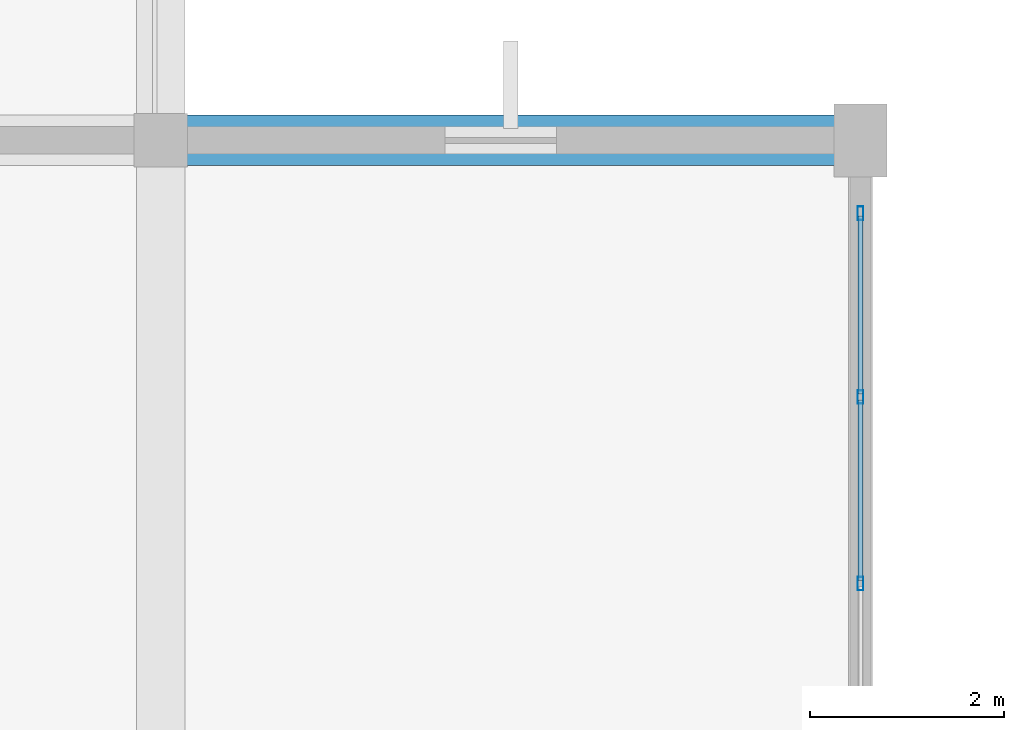
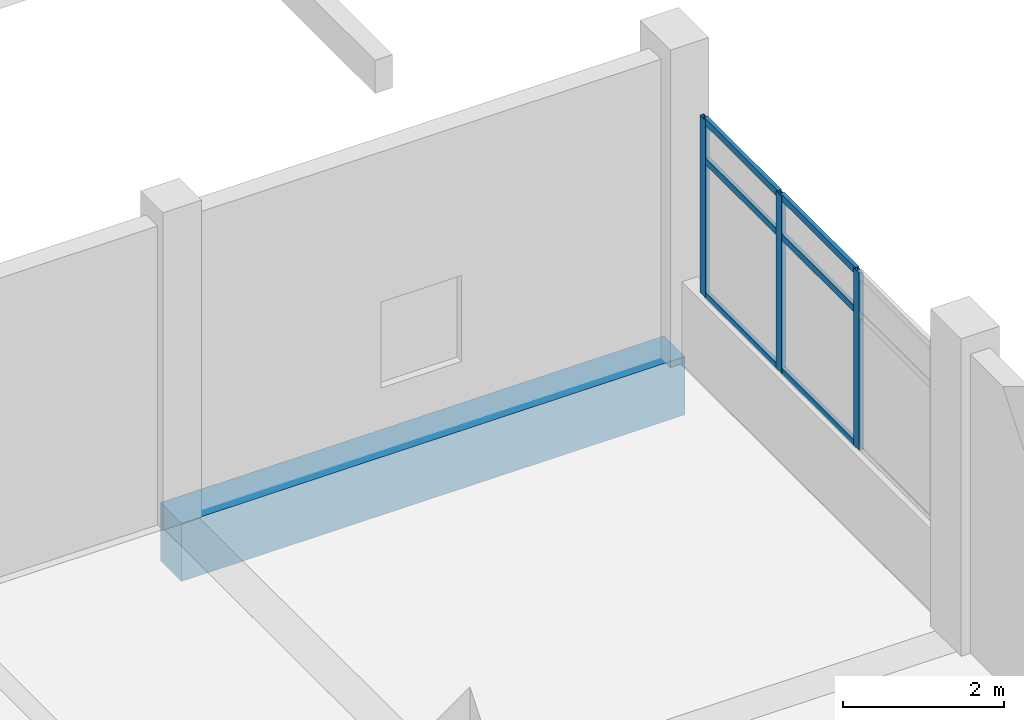
# One storey, part 93 of 140: 9 members, 1 beam, 1 element without a shape of its own.
"""IFC4 building model written with IfcOpenShell, lengths in metres."""

import ifcopenshell
import ifcopenshell.guid

model = None  # the IFC model being written
_history = None  # IfcOwnerHistory: only IFC2X3 demands one
_inside = {}  # id of a spatial element -> (the spatial element, [elements in it])
_under = {}  # id of a project, library or spatial element -> (it, [spatial elements below it])
_declared = {}  # id of a project -> (the project, [libraries it declares])
_typed = {}  # id of a type object -> (the type object, [elements of that type])
_made_of = {}  # id of a material, layer set ... -> (it, [elements and type objects made of it])


def new_model(schema):
    """Start an empty IFC model of exactly this schema.

    Asked for "IFC4X3", IfcOpenShell would pick the latest addendum, in which some entities
    have other attributes; the version numbers below select the first issue.
    IFC2X3 requires an IfcOwnerHistory on every rooted entity: one is made here for all.
    """
    global model, _history
    if schema == "IFC4X3":
        model = ifcopenshell.file(schema_version=(4, 3, 0, 0))
    else:
        model = ifcopenshell.file(schema=schema)
    _inside.clear()
    _under.clear()
    _declared.clear()
    _typed.clear()
    _made_of.clear()
    _history = None
    if model.schema == "IFC2X3":
        org = make("IfcOrganization", Name="unknown")
        user = make(
            "IfcPersonAndOrganization",
            ThePerson=make("IfcPerson", FamilyName="unknown"),
            TheOrganization=org,
        )
        app = make(
            "IfcApplication",
            ApplicationDeveloper=org,
            Version="unknown",
            ApplicationFullName="unknown",
            ApplicationIdentifier="unknown",
        )
        _history = make(
            "IfcOwnerHistory",
            OwningUser=user,
            OwningApplication=app,
            ChangeAction="ADDED",
            CreationDate=0,
        )
    return model


def make(cls, **values):
    """One entity of the class cls with the attributes given. An attribute that is None is left unset."""
    return model.create_entity(
        cls, **{name: value for name, value in values.items() if value is not None}
    )


def rooted(cls, **values):
    """An entity with a GlobalId (a new one), such as an element, a storey or a relation."""
    return make(cls, GlobalId=ifcopenshell.guid.new(), OwnerHistory=_history, **values)


def si_unit(unit_type, name, prefix=None):
    """IfcSIUnit, for example si_unit("LENGTHUNIT", "METRE", prefix="MILLI")."""
    return make("IfcSIUnit", UnitType=unit_type, Prefix=prefix, Name=name)


def assignment(units):
    """IfcUnitAssignment: the units of a project."""
    return None if units is None else make("IfcUnitAssignment", Units=units)


def point(xyz):
    """IfcCartesianPoint."""
    return None if xyz is None else make("IfcCartesianPoint", Coordinates=xyz)


def direction(xyz):
    """IfcDirection."""
    return None if xyz is None else make("IfcDirection", DirectionRatios=xyz)


def frame(location, z_axis=None, x_axis=None):
    """IfcAxis2Placement3D, a coordinate frame: its origin and axes. An axis left out is left unset."""
    return make(
        "IfcAxis2Placement3D",
        Location=point(location),
        Axis=direction(z_axis),
        RefDirection=direction(x_axis),
    )


def frame_2d(location, x_axis=None):
    """IfcAxis2Placement2D, a coordinate frame in the plane: its origin and x axis."""
    return make(
        "IfcAxis2Placement2D", Location=point(location), RefDirection=direction(x_axis)
    )


def origin():
    """The frame at (0, 0, 0) with its axes left unset."""
    return frame((0.0, 0.0, 0.0))


def origin_2d():
    """The frame at (0, 0) in the plane with its x axis left unset."""
    return frame_2d((0.0, 0.0))


def place(relative_to, where):
    """IfcLocalPlacement: puts the frame where relative to a parent placement (None: the world)."""
    return make(
        "IfcLocalPlacement", PlacementRelTo=relative_to, RelativePlacement=where
    )


def context(
    kind, dimensions, precision=None, world=None, true_north=None, identifier=None
):
    """IfcGeometricRepresentationContext, for example the 3D "Model" context."""
    return make(
        "IfcGeometricRepresentationContext",
        ContextIdentifier=identifier,
        ContextType=kind,
        CoordinateSpaceDimension=dimensions,
        Precision=precision,
        WorldCoordinateSystem=world,
        TrueNorth=true_north,
    )


def subcontext(parent, identifier, kind, view, scale=None):
    """IfcGeometricRepresentationSubContext, for example "Body" below "Model"."""
    return make(
        "IfcGeometricRepresentationSubContext",
        ContextIdentifier=identifier,
        ContextType=kind,
        ParentContext=parent,
        TargetScale=scale,
        TargetView=view,
    )


def project(units=None, contexts=None):
    """IfcProject with its units and contexts."""
    return rooted(
        "IfcProject",
        Name="project",
        RepresentationContexts=contexts,
        UnitsInContext=assignment(units),
    )


def spatial(cls, under=None, at=None, **own):
    """A site, building, storey or space (cls), placed at a placement, below another one or the project."""
    s = rooted(cls, ObjectPlacement=at, **own)
    if under is not None:
        _under.setdefault(under.id(), (under, []))[1].append(s)
    return s


def profile(cls, at=None, kind="AREA", **sizes):
    """A parametric profile (cls). Its sizes go by their IFC names, for example OverallWidth=200.0."""
    return make(cls, ProfileType=kind, Position=at, **sizes)


def rectangle(**sizes):
    """IfcRectangleProfileDef."""
    return profile("IfcRectangleProfileDef", **sizes)


def hollow_rectangle(**sizes):
    """IfcRectangleHollowProfileDef."""
    return profile("IfcRectangleHollowProfileDef", **sizes)


def extrude(swept, where, along, depth):
    """IfcExtrudedAreaSolid: the profile swept, set in the frame where, extruded along a direction by depth."""
    return make(
        "IfcExtrudedAreaSolid",
        SweptArea=swept,
        Position=where,
        ExtrudedDirection=direction(along),
        Depth=depth,
    )


def shape(context_of_items, identifier, shape_type, items):
    """IfcShapeRepresentation: the items that make up one representation, for example the "Body"."""
    return make(
        "IfcShapeRepresentation",
        ContextOfItems=context_of_items,
        RepresentationIdentifier=identifier,
        RepresentationType=shape_type,
        Items=items,
    )


def material(Name=None, Category=None):
    """IfcMaterial."""
    return make("IfcMaterial", Name=Name, Category=Category)


def layer(
    of_material, thickness, ventilated=None, Name=None, Category=None, Priority=None
):
    """IfcMaterialLayer: one layer of a wall or slab, of a material (None: an air gap)."""
    return make(
        "IfcMaterialLayer",
        Material=of_material,
        LayerThickness=thickness,
        IsVentilated=ventilated,
        Name=Name,
        Category=Category,
        Priority=Priority,
    )


def layer_set(layers, Name=None):
    """IfcMaterialLayerSet."""
    return make("IfcMaterialLayerSet", MaterialLayers=layers, LayerSetName=Name)


def material_profile(
    of_material, cross_section, Name=None, Category=None, Priority=None
):
    """IfcMaterialProfile: a cross section and its material."""
    return make(
        "IfcMaterialProfile",
        Name=Name,
        Material=of_material,
        Profile=cross_section,
        Priority=Priority,
        Category=Category,
    )


def profile_set(profiles, Name=None, composite=None):
    """IfcMaterialProfileSet."""
    return make(
        "IfcMaterialProfileSet",
        Name=Name,
        MaterialProfiles=profiles,
        CompositeProfile=composite,
    )


def made_of(thing, what):
    """Note that an element or type object is made of a material, layer set ...; save() writes the relation."""
    if what is not None:
        _made_of.setdefault(what.id(), (what, []))[1].append(thing)
    return thing


def type_object(cls, material=None, **own):
    """A type object (cls), such as IfcWallType, which elements share."""
    return made_of(rooted(cls, **own), material)


def element(
    cls,
    number,
    at=None,
    inside=None,
    cuts=None,
    type_object=None,
    material=None,
    context=None,
    identifier="Body",
    shape_type=None,
    held_by="IfcProductDefinitionShape",
    body=None,
    shapes=None,
    **own,
):
    """One element of the class cls, such as IfcWall. Its Tag is "e" and its number.

    at: its placement. inside: the storey or other place that contains it. cuts: it is an
    opening in that element (IfcRelVoidsElement). A single representation is given by context,
    identifier, shape_type and body (its items); several are given by shapes. held_by: the class
    of the entity that holds the representations. save() writes the other relations.
    """
    e = rooted(cls, Tag="e%d" % number, ObjectPlacement=at, **own)
    if body is not None:
        shapes = [shape(context, identifier, shape_type, body)]
    if shapes is not None:
        e.Representation = make(held_by, Representations=shapes)
    if inside is not None:
        _inside.setdefault(inside.id(), (inside, []))[1].append(e)
    if cuts is not None:
        rooted(
            "IfcRelVoidsElement", RelatingBuildingElement=cuts, RelatedOpeningElement=e
        )
    if type_object is not None:
        _typed.setdefault(type_object.id(), (type_object, []))[1].append(e)
    return made_of(e, material)


def aggregate(whole, parts):
    """IfcRelAggregates: a whole, such as a stair, and the parts it consists of."""
    return rooted("IfcRelAggregates", RelatingObject=whole, RelatedObjects=parts)


def save(model, path):
    """Write the relations noted so far, then the file.

    IfcRelAggregates (storeys below a building ...), IfcRelContainedInSpatialStructure (elements
    in a storey), IfcRelDefinesByType, IfcRelAssociatesMaterial and IfcRelDeclares: one each for
    every whole, place, type object, material and project.
    """
    for whole, parts in _under.values():
        aggregate(whole, parts)
    for where, things in _inside.values():
        rooted(
            "IfcRelContainedInSpatialStructure",
            RelatedElements=things,
            RelatingStructure=where,
        )
    for kind, things in _typed.values():
        rooted("IfcRelDefinesByType", RelatedObjects=things, RelatingType=kind)
    for what, things in _made_of.values():
        rooted("IfcRelAssociatesMaterial", RelatedObjects=things, RelatingMaterial=what)
    for by, libraries in _declared.values():
        rooted("IfcRelDeclares", RelatingContext=by, RelatedDefinitions=libraries)
    model.write(path)


model = new_model("IFC4")

# Units and contexts
model_context = context("Model", 3, precision=1e-05, world=origin(), true_north=direction((0.0, 1.0)))
body_context = subcontext(model_context, "Body", "Model", "MODEL_VIEW")
ifc_project = project(units=[si_unit("LENGTHUNIT", "METRE"), si_unit("AREAUNIT", "SQUARE_METRE"), si_unit("VOLUMEUNIT", "CUBIC_METRE"), si_unit("PLANEANGLEUNIT", "RADIAN"), si_unit("MASSUNIT", "GRAM", prefix="KILO")], contexts=[model_context])

# Site, building, storey
site_placement = place(None, origin())
site = spatial("IfcSite", under=ifc_project, at=site_placement, CompositionType="ELEMENT")
building_placement = place(site_placement, origin())
building = spatial("IfcBuilding", under=site, at=building_placement, Name="Seraya Terrace Polytechnic", CompositionType="ELEMENT")
storey_placement = place(building_placement, frame((0.0, 0.0, 9.60009765625)))
storey = spatial("IfcBuildingStorey", under=building, at=storey_placement, Name="L02", CompositionType="ELEMENT", Elevation=9.60009765625)

# Beam
ifc_material_1 = material(Name="Concrete C40/50", Category="concrete")
ifc_material_profile_1 = material_profile(ifc_material_1, rectangle(XDim=0.52001953125, YDim=0.8798828125, at=origin_2d()), Name="RC 520x880")
ifc_profile_set_1 = profile_set([ifc_material_profile_1], Name="Concrete C40/50")
beam_type = type_object("IfcBeamType", Name="BM-04", PredefinedType="BEAM", material=ifc_profile_set_1)
beam_placement = place(storey_placement, frame((158.39990234375, 36.0, -0.440185546875), z_axis=(1.0, 0.0, 0.0), x_axis=(0.0, 1.0, 0.0)))
element("IfcBeam", 1, at=beam_placement, inside=storey, type_object=beam_type, Name="Beam BM-04 L02 X (158.4..165.6, 36.0)", PredefinedType="BEAM", context=body_context, shape_type="SweptSolid", body=[
    extrude(rectangle(XDim=0.52001953125, YDim=0.8798828125, at=origin_2d()), origin(), (0.0, 0.0, 1.0), 7.2001953125),
])

# Curtain wall, members
ifc_material_2 = material(Name="Anodised aluminium EN AW-6063 T6", Category="aluminium")
ifc_layer = layer(ifc_material_2, 0.179931640625, Name="CW-30")
ifc_layer_set = layer_set([ifc_layer], Name="Anodised aluminium EN AW-6063 T6")
curtain_wall_type = type_object("IfcCurtainWallType", Name="CW-30", PredefinedType="NOTDEFINED", material=ifc_layer_set)
curtain_wall_placement = place(storey_placement, origin())
curtain_wall = element("IfcCurtainWall", 2, at=curtain_wall_placement, inside=storey, type_object=curtain_wall_type, Name="Unitised curtain wall CW-30 (CW-L02-066)", PredefinedType="NOTDEFINED")
ifc_material_profile_2 = material_profile(ifc_material_2, hollow_rectangle(XDim=0.06005859375, YDim=0.139892578125, WallThickness=0.00341796875, at=origin_2d()), Name="RHS 140x60x3.5")
ifc_profile_set_2 = profile_set([ifc_material_profile_2], Name="Anodised aluminium EN AW-6063 T6")
member_type_1 = type_object("IfcMemberType", Name="CWM-03", PredefinedType="MULLION", material=ifc_profile_set_2)
member_1_placement = place(storey_placement, frame((165.60009765625, 35.25, 1.239990234375), z_axis=(0.0, 0.0, 1.0), x_axis=(1.0, 0.0, 0.0)))
member_1 = element("IfcMember", 3, at=member_1_placement, type_object=member_type_1, Name="CW-30 mullion 1", PredefinedType="MULLION", context=body_context, shape_type="SweptSolid", body=[
    extrude(hollow_rectangle(XDim=0.06005859375, YDim=0.139892578125, WallThickness=0.00341796875, at=origin_2d()), origin(), (0.0, 0.0, 1.0), 2.679931640625),
])
member_2_placement = place(storey_placement, frame((165.60009765625, 33.360107421875, 1.239990234375), z_axis=(0.0, 0.0, 1.0), x_axis=(1.0, 0.0, 0.0)))
member_2 = element("IfcMember", 4, at=member_2_placement, type_object=member_type_1, Name="CW-30 mullion 2", PredefinedType="MULLION", context=body_context, shape_type="SweptSolid", body=[
    extrude(hollow_rectangle(XDim=0.06005859375, YDim=0.139892578125, WallThickness=0.00341796875, at=origin_2d()), origin(), (0.0, 0.0, 1.0), 2.679931640625),
])
member_3_placement = place(storey_placement, frame((165.60009765625, 31.43994140625, 1.239990234375), z_axis=(0.0, 0.0, 1.0), x_axis=(1.0, 0.0, 0.0)))
member_3 = element("IfcMember", 5, at=member_3_placement, type_object=member_type_1, Name="CW-30 mullion 3", PredefinedType="MULLION", context=body_context, shape_type="SweptSolid", body=[
    extrude(hollow_rectangle(XDim=0.06005859375, YDim=0.139892578125, WallThickness=0.00341796875, at=origin_2d()), origin(), (0.0, 0.0, 1.0), 2.679931640625),
])
ifc_material_profile_3 = material_profile(ifc_material_2, hollow_rectangle(XDim=0.054931640625, YDim=0.10009765625, WallThickness=0.0029296875, at=origin_2d()), Name="RHS 100x55x3.0")
ifc_profile_set_3 = profile_set([ifc_material_profile_3], Name="Anodised aluminium EN AW-6063 T6")
member_type_2 = type_object("IfcMemberType", Name="CWT-03", PredefinedType="USERDEFINED", material=ifc_profile_set_3)
member_4_placement = place(storey_placement, frame((165.60009765625, 35.219970703125, 1.267333984375), z_axis=(0.0, -1.0, 0.0), x_axis=(1.0, 0.0, 0.0)))
member_4 = element("IfcMember", 6, at=member_4_placement, type_object=member_type_2, Name="CW-30 transom 1.1", ObjectType="TRANSOM", PredefinedType="USERDEFINED", context=body_context, shape_type="SweptSolid", body=[
    extrude(hollow_rectangle(XDim=0.054931640625, YDim=0.10009765625, WallThickness=0.0029296875, at=origin_2d()), origin(), (0.0, 0.0, 1.0), 1.830078125),
])
member_5_placement = place(storey_placement, frame((165.60009765625, 35.219970703125, 3.2998046875), z_axis=(0.0, -1.0, 0.0), x_axis=(1.0, 0.0, 0.0)))
member_5 = element("IfcMember", 7, at=member_5_placement, type_object=member_type_2, Name="CW-30 transom 1.2", ObjectType="TRANSOM", PredefinedType="USERDEFINED", context=body_context, shape_type="SweptSolid", body=[
    extrude(hollow_rectangle(XDim=0.054931640625, YDim=0.10009765625, WallThickness=0.0029296875, at=origin_2d()), origin(), (0.0, 0.0, 1.0), 1.830078125),
])
member_6_placement = place(storey_placement, frame((165.60009765625, 35.219970703125, 3.892333984375), z_axis=(0.0, -1.0, 0.0), x_axis=(1.0, 0.0, 0.0)))
member_6 = element("IfcMember", 8, at=member_6_placement, type_object=member_type_2, Name="CW-30 transom 1.3", ObjectType="TRANSOM", PredefinedType="USERDEFINED", context=body_context, shape_type="SweptSolid", body=[
    extrude(hollow_rectangle(XDim=0.054931640625, YDim=0.10009765625, WallThickness=0.0029296875, at=origin_2d()), origin(), (0.0, 0.0, 1.0), 1.830078125),
])
member_7_placement = place(storey_placement, frame((165.60009765625, 33.330078125, 1.267333984375), z_axis=(0.0, -1.0, 0.0), x_axis=(1.0, 0.0, 0.0)))
member_7 = element("IfcMember", 9, at=member_7_placement, type_object=member_type_2, Name="CW-30 transom 2.1", ObjectType="TRANSOM", PredefinedType="USERDEFINED", context=body_context, shape_type="SweptSolid", body=[
    extrude(hollow_rectangle(XDim=0.054931640625, YDim=0.10009765625, WallThickness=0.0029296875, at=origin_2d()), origin(), (0.0, 0.0, 1.0), 1.860107421875),
])
member_8_placement = place(storey_placement, frame((165.60009765625, 33.330078125, 3.2998046875), z_axis=(0.0, -1.0, 0.0), x_axis=(1.0, 0.0, 0.0)))
member_8 = element("IfcMember", 10, at=member_8_placement, type_object=member_type_2, Name="CW-30 transom 2.2", ObjectType="TRANSOM", PredefinedType="USERDEFINED", context=body_context, shape_type="SweptSolid", body=[
    extrude(hollow_rectangle(XDim=0.054931640625, YDim=0.10009765625, WallThickness=0.0029296875, at=origin_2d()), origin(), (0.0, 0.0, 1.0), 1.860107421875),
])
member_9_placement = place(storey_placement, frame((165.60009765625, 33.330078125, 3.892333984375), z_axis=(0.0, -1.0, 0.0), x_axis=(1.0, 0.0, 0.0)))
member_9 = element("IfcMember", 11, at=member_9_placement, type_object=member_type_2, Name="CW-30 transom 2.3", ObjectType="TRANSOM", PredefinedType="USERDEFINED", context=body_context, shape_type="SweptSolid", body=[
    extrude(hollow_rectangle(XDim=0.054931640625, YDim=0.10009765625, WallThickness=0.0029296875, at=origin_2d()), origin(), (0.0, 0.0, 1.0), 1.860107421875),
])
aggregate(curtain_wall, [member_1, member_2, member_3, member_4, member_5, member_6, member_7, member_8, member_9])

save(model, "model.ifc")
